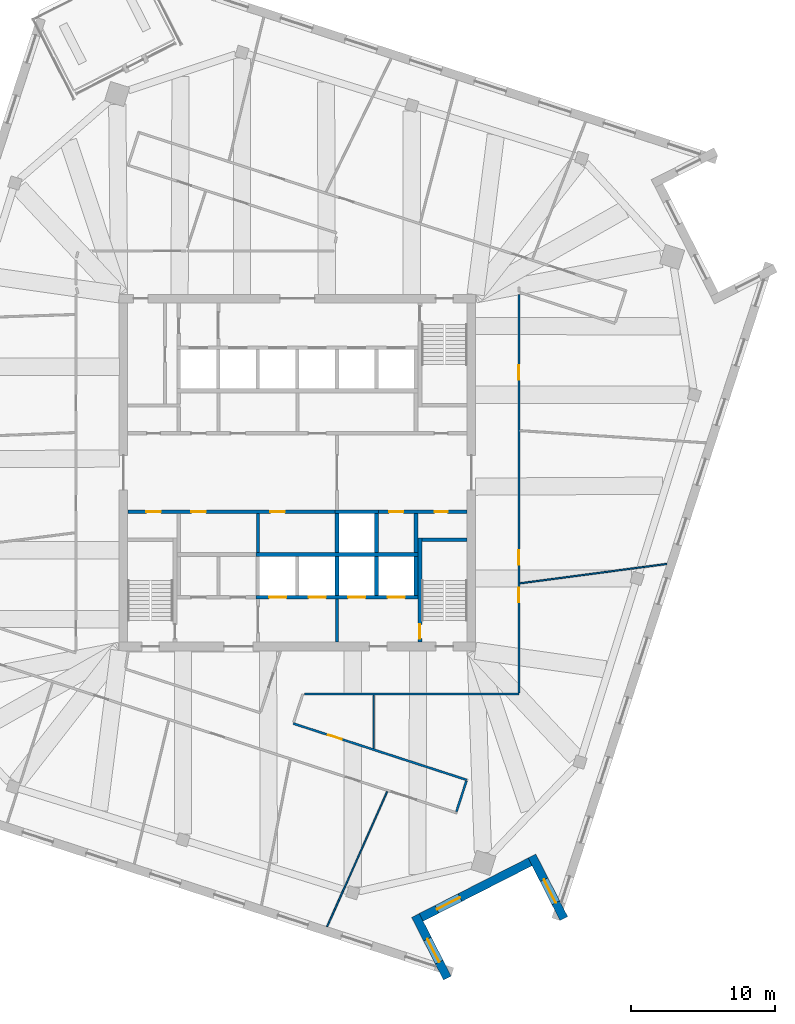
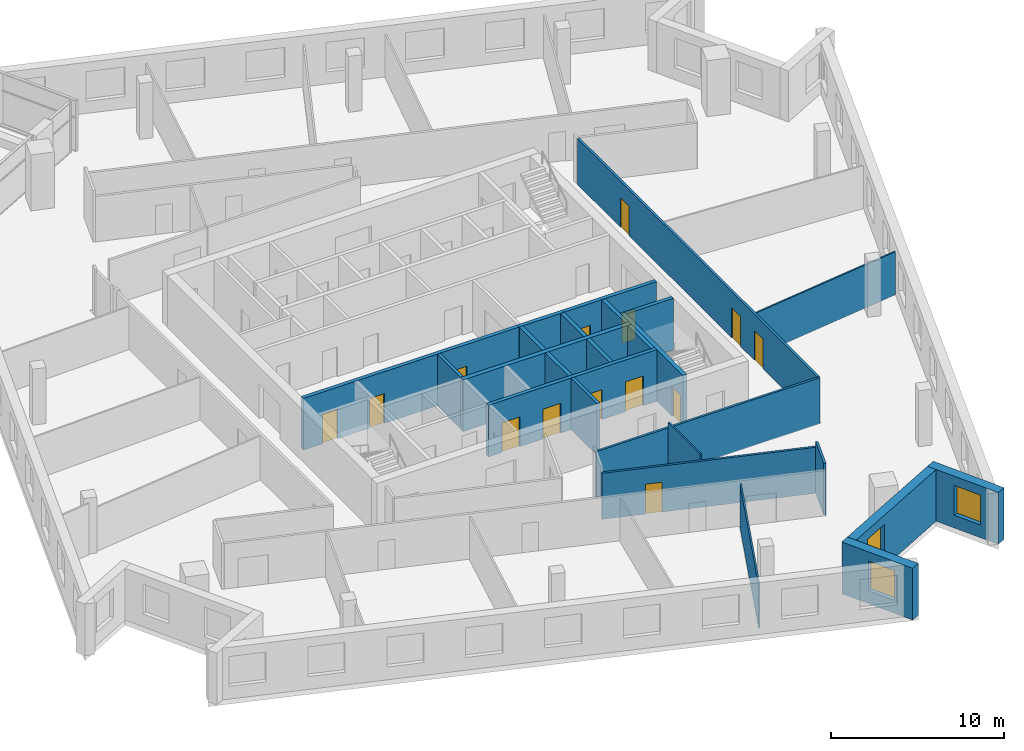
# One storey, part 7 of 13: 25 walls, 14 doors, 3 windows, 17 openings.
"""IFC4 building model written with IfcOpenShell, lengths in metres."""

from ifc_helpers import new_model, si_unit, direction, frame, frame_2d, origin, place, context, subcontext, project, spatial, rectangle, extrude, material, layer, layer_set, type_object, element, fill, save


model = new_model("IFC4")

# Units and contexts
model_context = context("Model", 3, precision=1e-05, world=origin(), true_north=direction((0.0, 1.0)))
body_context = subcontext(model_context, "Body", "Model", "MODEL_VIEW")
ifc_project = project(units=[si_unit("LENGTHUNIT", "METRE"), si_unit("AREAUNIT", "SQUARE_METRE"), si_unit("VOLUMEUNIT", "CUBIC_METRE"), si_unit("PLANEANGLEUNIT", "RADIAN"), si_unit("MASSUNIT", "GRAM", prefix="KILO")], contexts=[model_context])

# Site, building, storey
site_placement = place(None, origin())
site = spatial("IfcSite", under=ifc_project, at=site_placement, CompositionType="ELEMENT")
building_placement = place(site_placement, origin())
building = spatial("IfcBuilding", under=site, at=building_placement, Name="Dilmun Exchange Tower", CompositionType="ELEMENT")
storey_placement = place(building_placement, frame((0.0, 0.0, 316.5)))
storey = spatial("IfcBuildingStorey", under=building, at=storey_placement, Name="L75", CompositionType="ELEMENT", Elevation=316.5)

# Walls
ifc_material_1 = material(Name="Concrete C40/50", Category="concrete")
ifc_layer_1 = layer(ifc_material_1, 0.199951171875)
ifc_layer_set_1 = layer_set([ifc_layer_1], Name="Concrete C40/50")
wall_type_1 = type_object("IfcWallType", Name="Core partition wall 200", PredefinedType="PARTITIONING", material=ifc_layer_set_1)
wall_1_placement = place(storey_placement, frame((2.75, -11.794921875, 0.0), z_axis=(0.0, 0.0, 1.0), x_axis=(0.0, 1.0, 0.0)))
element("IfcWall", 1, at=wall_1_placement, inside=storey, type_object=wall_type_1, Name="L75 core partition wall 02", PredefinedType="PARTITIONING", context=body_context, shape_type="SweptSolid", body=[
    extrude(rectangle(XDim=2.989990234375, YDim=0.199951171875, at=frame_2d((1.4951171875, 0.0))), origin(), (0.0, 0.0, 1.0), 3.64990234375),
])
wall_2_placement = place(storey_placement, frame((-2.75, -5.544921875, 0.0), z_axis=(0.0, 0.0, 1.0), x_axis=(0.0, 1.0, 0.0)))
element("IfcWall", 2, at=wall_2_placement, inside=storey, type_object=wall_type_1, Name="L75 core partition wall 08", PredefinedType="PARTITIONING", context=body_context, shape_type="SweptSolid", body=[
    extrude(rectangle(XDim=2.68994140625, YDim=0.199951171875, at=frame_2d((1.344970703125, 0.0))), origin(), (0.0, 0.0, 1.0), 3.64990234375),
])
ifc_layer_2 = layer(ifc_material_1, 0.25)
ifc_layer_set_2 = layer_set([ifc_layer_2], Name="Concrete C40/50")
wall_type_2 = type_object("IfcWallType", Name="Core partition wall 250", PredefinedType="PARTITIONING", material=ifc_layer_set_2)
wall_3_placement = place(storey_placement, frame((8.25, -5.544921875, 0.0), z_axis=(0.0, 0.0, 1.0), x_axis=(0.0, 1.0, 0.0)))
element("IfcWall", 3, at=wall_3_placement, inside=storey, type_object=wall_type_2, Name="L75 core partition wall 09", PredefinedType="PARTITIONING", context=body_context, shape_type="SweptSolid", body=[
    extrude(rectangle(XDim=2.68994140625, YDim=0.25, at=frame_2d((1.344970703125, 0.0))), origin(), (0.0, 0.0, 1.0), 3.64990234375),
])

# Wall, openings, doors
wall_4_placement = place(storey_placement, frame((-11.794921875, -2.72509765625, 0.0), z_axis=(0.0, 0.0, 1.0), x_axis=(1.0, 0.0, 0.0)))
wall_4 = element("IfcWall", 4, at=wall_4_placement, inside=storey, type_object=wall_type_2, Name="L75 core partition wall 10", PredefinedType="PARTITIONING", context=body_context, shape_type="SweptSolid", body=[
    extrude(rectangle(XDim=14.4150390625, YDim=0.25, at=frame_2d((7.20751953125, 0.0))), origin(), (0.0, 0.0, 1.0), 3.64990234375),
])
opening_1_placement = place(wall_4_placement, frame((1.294921875, 0.0, 0.0)))
opening_1 = element("IfcOpeningElement", 5, at=opening_1_placement, cuts=wall_4, Name="Opening CD4", PredefinedType="OPENING", context=body_context, shape_type="SweptSolid", body=[
    extrude(rectangle(XDim=1.0, YDim=2.10009765625, at=frame_2d((0.5, 1.050048828125))), frame((0.0, 0.135009765625, 0.0), z_axis=(0.0, -1.0, 0.0), x_axis=(1.0, 0.0, 0.0)), (0.0, 0.0, 1.0), 0.27001953125),
])
opening_2_placement = place(wall_4_placement, frame((4.419921875, 0.0, 0.0)))
opening_2 = element("IfcOpeningElement", 6, at=opening_2_placement, cuts=wall_4, Name="Opening CD4", PredefinedType="OPENING", context=body_context, shape_type="SweptSolid", body=[
    extrude(rectangle(XDim=1.0, YDim=2.10009765625, at=frame_2d((0.5, 1.050048828125))), frame((0.0, 0.135009765625, 0.0), z_axis=(0.0, -1.0, 0.0), x_axis=(1.0, 0.0, 0.0)), (0.0, 0.0, 1.0), 0.27001953125),
])
opening_3_placement = place(wall_4_placement, frame((9.919921875, 0.0, 0.0)))
opening_3 = element("IfcOpeningElement", 7, at=opening_3_placement, cuts=wall_4, Name="Opening CD4", PredefinedType="OPENING", context=body_context, shape_type="SweptSolid", body=[
    extrude(rectangle(XDim=1.0, YDim=2.10009765625, at=frame_2d((0.5, 1.050048828125))), frame((0.0, 0.135009765625, 0.0), z_axis=(0.0, -1.0, 0.0), x_axis=(1.0, 0.0, 0.0)), (0.0, 0.0, 1.0), 0.27001953125),
])
ifc_material_2 = material(Name="Fire-rated steel door set", Category="steel")
door_type_1 = type_object("IfcDoorType", Name="Core room door 1000x2100", OperationType="SINGLE_SWING_LEFT", PredefinedType="DOOR", material=ifc_material_2)
door_1_placement = place(opening_1_placement, origin())
door_1 = element("IfcDoor", 8, at=door_1_placement, inside=storey, type_object=door_type_1, Name="L75 door Accessible WC", OperationType="SINGLE_SWING_RIGHT", OverallHeight=2.10009765625, OverallWidth=1.0, PredefinedType="DOOR", context=body_context, shape_type="SweptSolid", body=[
    extrude(rectangle(XDim=1.0, YDim=2.10009765625, at=frame_2d((0.5, 1.050048828125))), frame((0.0, 0.02490234375, 0.0), z_axis=(0.0, -1.0, 0.0), x_axis=(1.0, 0.0, 0.0)), (0.0, 0.0, 1.0), 0.050048828125),
])
fill(opening_1, door_1)
door_2_placement = place(opening_2_placement, origin())
door_2 = element("IfcDoor", 9, at=door_2_placement, inside=storey, type_object=door_type_1, Name="L75 door Switch room", OperationType="SINGLE_SWING_RIGHT", OverallHeight=2.10009765625, OverallWidth=1.0, PredefinedType="DOOR", context=body_context, shape_type="SweptSolid", body=[
    extrude(rectangle(XDim=1.0, YDim=2.10009765625, at=frame_2d((0.5, 1.050048828125))), frame((0.0, 0.02490234375, 0.0), z_axis=(0.0, -1.0, 0.0), x_axis=(1.0, 0.0, 0.0)), (0.0, 0.0, 1.0), 0.050048828125),
])
fill(opening_2, door_2)
door_3_placement = place(opening_3_placement, origin())
door_3 = element("IfcDoor", 10, at=door_3_placement, inside=storey, type_object=door_type_1, Name="L75 door Print and mail room", OperationType="SINGLE_SWING_RIGHT", OverallHeight=2.10009765625, OverallWidth=1.0, PredefinedType="DOOR", context=body_context, shape_type="SweptSolid", body=[
    extrude(rectangle(XDim=1.0, YDim=2.10009765625, at=frame_2d((0.5, 1.050048828125))), frame((0.0, 0.02490234375, 0.0), z_axis=(0.0, -1.0, 0.0), x_axis=(1.0, 0.0, 0.0)), (0.0, 0.0, 1.0), 0.050048828125),
])
fill(opening_3, door_3)

wall_5_placement = place(storey_placement, frame((5.6298828125, -2.72509765625, 0.0), z_axis=(0.0, 0.0, 1.0), x_axis=(1.0, 0.0, 0.0)))
wall_5 = element("IfcWall", 11, at=wall_5_placement, inside=storey, type_object=wall_type_2, Name="L75 core partition wall 11", PredefinedType="PARTITIONING", context=body_context, shape_type="SweptSolid", body=[
    extrude(rectangle(XDim=6.1650390625, YDim=0.25, at=frame_2d((3.08251953125, 0.0))), origin(), (0.0, 0.0, 1.0), 3.64990234375),
])
opening_4_placement = place(wall_5_placement, frame((0.7451171875, 0.0, 0.0)))
opening_4 = element("IfcOpeningElement", 12, at=opening_4_placement, cuts=wall_5, Name="Opening CD4", PredefinedType="OPENING", context=body_context, shape_type="SweptSolid", body=[
    extrude(rectangle(XDim=1.0, YDim=2.10009765625, at=frame_2d((0.5, 1.050048828125))), frame((0.0, 0.135009765625, 0.0), z_axis=(0.0, -1.0, 0.0), x_axis=(1.0, 0.0, 0.0)), (0.0, 0.0, 1.0), 0.27001953125),
])
opening_5_placement = place(wall_5_placement, frame((3.919921875, 0.0, 0.0)))
opening_5 = element("IfcOpeningElement", 13, at=opening_5_placement, cuts=wall_5, Name="Opening CD6", PredefinedType="OPENING", context=body_context, shape_type="SweptSolid", body=[
    extrude(rectangle(XDim=0.89990234375, YDim=2.10009765625, at=frame_2d((0.449951171875, 1.050048828125))), frame((0.0, 0.135009765625, 0.0), z_axis=(0.0, -1.0, 0.0), x_axis=(1.0, 0.0, 0.0)), (0.0, 0.0, 1.0), 0.27001953125),
])
door_4_placement = place(opening_4_placement, origin())
door_4 = element("IfcDoor", 14, at=door_4_placement, inside=storey, type_object=door_type_1, Name="L75 door Cleaners' store", OperationType="SINGLE_SWING_RIGHT", OverallHeight=2.10009765625, OverallWidth=1.0, PredefinedType="DOOR", context=body_context, shape_type="SweptSolid", body=[
    extrude(rectangle(XDim=1.0, YDim=2.10009765625, at=frame_2d((0.5, 1.050048828125))), frame((0.0, 0.02490234375, 0.0), z_axis=(0.0, -1.0, 0.0), x_axis=(1.0, 0.0, 0.0)), (0.0, 0.0, 1.0), 0.050048828125),
])
fill(opening_4, door_4)
door_type_2 = type_object("IfcDoorType", Name="Core room door 900x2100", OperationType="SINGLE_SWING_LEFT", PredefinedType="DOOR", material=ifc_material_2)
door_5_placement = place(opening_5_placement, origin())
door_5 = element("IfcDoor", 15, at=door_5_placement, inside=storey, type_object=door_type_2, Name="L75 door Comms riser", OperationType="SINGLE_SWING_RIGHT", OverallHeight=2.10009765625, OverallWidth=0.89990234375, PredefinedType="DOOR", context=body_context, shape_type="SweptSolid", body=[
    extrude(rectangle(XDim=0.89990234375, YDim=2.10009765625, at=frame_2d((0.449951171875, 1.050048828125))), frame((0.0, 0.02490234375, 0.0), z_axis=(0.0, -1.0, 0.0), x_axis=(1.0, 0.0, 0.0)), (0.0, 0.0, 1.0), 0.050048828125),
])
fill(opening_5, door_5)

# Wall, opening, door
ifc_material_3 = material(Name="Corridor wall 150")
ifc_layer_3 = layer(ifc_material_3, 0.14990234375)
ifc_layer_set_3 = layer_set([ifc_layer_3], Name="Corridor wall 150")
wall_type_3 = type_object("IfcWallType", Name="Corridor wall 150", PredefinedType="PARTITIONING", material=ifc_layer_set_3)
wall_6_placement = place(storey_placement, frame((-0.291015625, -17.4541015625, 0.0), z_axis=(0.0, 0.0, 1.0), x_axis=(0.951062767237, -0.308997755292, 0.0)))
wall_6 = element("IfcWall", 16, at=wall_6_placement, inside=storey, type_object=wall_type_3, Name="Corridor wall", PredefinedType="PARTITIONING", context=body_context, shape_type="SweptSolid", body=[
    extrude(rectangle(XDim=12.68896484375, YDim=0.14990234375, at=frame_2d((6.344482421875, 0.0))), origin(), (0.0, 0.0, 1.0), 3.25),
])
opening_6_placement = place(wall_6_placement, frame((2.550048828125, 0.0, 0.0)))
opening_6 = element("IfcOpeningElement", 17, at=opening_6_placement, cuts=wall_6, Name="Opening TF75-D13", PredefinedType="OPENING", context=body_context, shape_type="SweptSolid", body=[
    extrude(rectangle(XDim=1.0, YDim=2.10009765625, at=frame_2d((0.5, 1.050048828125))), frame((0.0, 0.0849609375, 0.0), z_axis=(0.0, -1.0, 0.0), x_axis=(1.0, 0.0, 0.0)), (0.0, 0.0, 1.0), 0.169921875),
])
ifc_material_4 = material(Name="Fire door 1000 x 2100")
door_type_3 = type_object("IfcDoorType", Name="Fire door 1000 x 2100", OperationType="NOTDEFINED", PredefinedType="DOOR", material=ifc_material_4)
door_6_placement = place(opening_6_placement, origin())
door_6 = element("IfcDoor", 18, at=door_6_placement, inside=storey, type_object=door_type_3, Name="Door TF75-D13", OperationType="SINGLE_SWING_RIGHT", OverallHeight=2.10009765625, OverallWidth=1.0, PredefinedType="DOOR", context=body_context, shape_type="SweptSolid", body=[
    extrude(rectangle(XDim=1.0, YDim=2.10009765625, at=frame_2d((0.5, 1.050048828125))), frame((0.0, 0.02490234375, 0.0), z_axis=(0.0, -1.0, 0.0), x_axis=(1.0, 0.0, 0.0)), (0.0, 0.0, 1.0), 0.050048828125),
])
fill(opening_6, door_6)

# Walls
wall_7_placement = place(storey_placement, frame((0.479248046875, -15.39990234375, 0.0), z_axis=(0.0, 0.0, 1.0), x_axis=(1.0, 0.0, 0.0)))
element("IfcWall", 19, at=wall_7_placement, inside=storey, type_object=wall_type_3, Name="Corridor wall", PredefinedType="PARTITIONING", context=body_context, shape_type="SweptSolid", body=[
    extrude(rectangle(XDim=14.920654296875, YDim=0.14990234375, at=frame_2d((7.46044921875, 0.0))), origin(), (0.0, 0.0, 1.0), 3.25),
])
wall_8_placement = place(storey_placement, frame((11.05810546875, -23.586669921875, 0.0), z_axis=(0.0, 0.0, 1.0), x_axis=(0.309157203415, 0.95101094819, 0.0)))
element("IfcWall", 20, at=wall_8_placement, inside=storey, type_object=wall_type_3, Name="Corridor wall", PredefinedType="PARTITIONING", context=body_context, shape_type="SweptSolid", body=[
    extrude(rectangle(XDim=2.250732421875, YDim=0.14990234375, at=frame_2d((1.12548828125, 0.0))), origin(), (0.0, 0.0, 1.0), 3.64990234375),
])

# Wall, openings, doors
wall_9_placement = place(storey_placement, frame((15.39990234375, -15.324951171875, 0.0), z_axis=(0.0, 0.0, 1.0), x_axis=(0.0, 1.0, 0.0)))
wall_9 = element("IfcWall", 21, at=wall_9_placement, inside=storey, type_object=wall_type_3, Name="Corridor wall", PredefinedType="PARTITIONING", context=body_context, shape_type="SweptSolid", body=[
    extrude(rectangle(XDim=27.723876953125, YDim=0.14990234375, at=frame_2d((13.86181640625, 0.0))), origin(), (0.0, 0.0, 1.0), 3.25),
])
opening_7_placement = place(wall_9_placement, frame((6.300048828125, 0.0, 0.0)))
opening_7 = element("IfcOpeningElement", 22, at=opening_7_placement, cuts=wall_9, Name="Opening TF75-D17", PredefinedType="OPENING", context=body_context, shape_type="SweptSolid", body=[
    extrude(rectangle(XDim=1.0, YDim=2.10009765625, at=frame_2d((0.5, 1.050048828125))), frame((0.0, 0.0849609375, 0.0), z_axis=(0.0, -1.0, 0.0), x_axis=(1.0, 0.0, 0.0)), (0.0, 0.0, 1.0), 0.169921875),
])
opening_8_placement = place(wall_9_placement, frame((8.910888671875, 0.0, 0.0)))
opening_8 = element("IfcOpeningElement", 23, at=opening_8_placement, cuts=wall_9, Name="Opening TF75-D18", PredefinedType="OPENING", context=body_context, shape_type="SweptSolid", body=[
    extrude(rectangle(XDim=1.0, YDim=2.10009765625, at=frame_2d((0.5, 1.050048828125))), frame((0.0, 0.0849609375, 0.0), z_axis=(0.0, -1.0, 0.0), x_axis=(1.0, 0.0, 0.0)), (0.0, 0.0, 1.0), 0.169921875),
])
opening_9_placement = place(wall_9_placement, frame((21.79345703125, 0.0, 0.0)))
opening_9 = element("IfcOpeningElement", 24, at=opening_9_placement, cuts=wall_9, Name="Opening TF75-D20", PredefinedType="OPENING", context=body_context, shape_type="SweptSolid", body=[
    extrude(rectangle(XDim=1.0, YDim=2.10009765625, at=frame_2d((0.5, 1.050048828125))), frame((0.0, 0.0849609375, 0.0), z_axis=(0.0, -1.0, 0.0), x_axis=(1.0, 0.0, 0.0)), (0.0, 0.0, 1.0), 0.169921875),
])
door_7_placement = place(opening_7_placement, frame((1.0, 0.0, 0.0), z_axis=(0.0, 0.0, 1.0), x_axis=(-1.0, 0.0, 0.0)))
door_7 = element("IfcDoor", 25, at=door_7_placement, inside=storey, type_object=door_type_3, Name="Door TF75-D17", OperationType="SINGLE_SWING_RIGHT", OverallHeight=2.10009765625, OverallWidth=1.0, PredefinedType="DOOR", context=body_context, shape_type="SweptSolid", body=[
    extrude(rectangle(XDim=1.0, YDim=2.10009765625, at=frame_2d((0.5, 1.050048828125))), frame((0.0, 0.02490234375, 0.0), z_axis=(0.0, -1.0, 0.0), x_axis=(1.0, 0.0, 0.0)), (0.0, 0.0, 1.0), 0.050048828125),
])
fill(opening_7, door_7)
door_8_placement = place(opening_8_placement, frame((1.0, 0.0, 0.0), z_axis=(0.0, 0.0, 1.0), x_axis=(-1.0, 0.0, 0.0)))
door_8 = element("IfcDoor", 26, at=door_8_placement, inside=storey, type_object=door_type_3, Name="Door TF75-D18", OperationType="SINGLE_SWING_LEFT", OverallHeight=2.10009765625, OverallWidth=1.0, PredefinedType="DOOR", context=body_context, shape_type="SweptSolid", body=[
    extrude(rectangle(XDim=1.0, YDim=2.10009765625, at=frame_2d((0.5, 1.050048828125))), frame((0.0, 0.02490234375, 0.0), z_axis=(0.0, -1.0, 0.0), x_axis=(1.0, 0.0, 0.0)), (0.0, 0.0, 1.0), 0.050048828125),
])
fill(opening_8, door_8)
door_9_placement = place(opening_9_placement, frame((1.0, 0.0, 0.0), z_axis=(0.0, 0.0, 1.0), x_axis=(-1.0, 0.0, 0.0)))
door_9 = element("IfcDoor", 27, at=door_9_placement, inside=storey, type_object=door_type_3, Name="Door TF75-D20", OperationType="SINGLE_SWING_RIGHT", OverallHeight=2.10009765625, OverallWidth=1.0, PredefinedType="DOOR", context=body_context, shape_type="SweptSolid", body=[
    extrude(rectangle(XDim=1.0, YDim=2.10009765625, at=frame_2d((0.5, 1.050048828125))), frame((0.0, 0.02490234375, 0.0), z_axis=(0.0, -1.0, 0.0), x_axis=(1.0, 0.0, 0.0)), (0.0, 0.0, 1.0), 0.050048828125),
])
fill(opening_9, door_9)

# Walls
ifc_layer_4 = layer(ifc_material_1, 0.300048828125)
ifc_layer_set_4 = layer_set([ifc_layer_4], Name="Concrete C40/50")
wall_type_4 = type_object("IfcWallType", Name="Lift shaft shared wall 300", PredefinedType="SOLIDWALL", material=ifc_layer_set_4)
wall_10_placement = place(storey_placement, frame((-2.875, -5.699951171875, 0.0), z_axis=(0.0, 0.0, 1.0), x_axis=(1.0, 0.0, 0.0)))
element("IfcWall", 28, at=wall_10_placement, inside=storey, type_object=wall_type_4, Name="L75 lift shaft rear wall S", PredefinedType="SOLIDWALL", context=body_context, shape_type="SweptSolid", body=[
    extrude(rectangle(XDim=11.25, YDim=0.300048828125, at=frame_2d((5.625, 0.0))), origin(), (0.0, 0.0, 1.0), 3.64990234375),
])
ifc_layer_5 = layer(ifc_material_1, 0.25)
ifc_layer_set_5 = layer_set([ifc_layer_5], Name="Concrete C40/50")
wall_type_5 = type_object("IfcWallType", Name="Lift shaft wall 250", PredefinedType="SOLIDWALL", material=ifc_layer_set_5)
wall_11_placement = place(storey_placement, frame((2.625, -2.72509765625, 0.0), z_axis=(0.0, 0.0, 1.0), x_axis=(1.0, 0.0, 0.0)))
element("IfcWall", 29, at=wall_11_placement, inside=storey, type_object=wall_type_5, Name="L75 lift shaft front wall S1", PredefinedType="SOLIDWALL", context=body_context, shape_type="SweptSolid", body=[
    extrude(rectangle(XDim=3.0, YDim=0.25, at=frame_2d((1.5, 0.0))), origin(), (0.0, 0.0, 1.0), 3.64990234375),
])
for number, where, z_axis, x_axis, name in (
    (30, (2.75, -5.550048828125, 0.0), (0.0, 0.0, 1.0), (0.0, 1.0, 0.0), "L75 lift shaft divider S14"),
    (31, (5.5, -5.550048828125, 0.0), (0.0, 0.0, 1.0), (0.0, 1.0, 0.0), "L75 lift shaft divider S15"),
):
    element("IfcWall", number, at=place(storey_placement, frame(where, z_axis=z_axis, x_axis=x_axis)), inside=storey, type_object=wall_type_5, Name=name, PredefinedType="SOLIDWALL", context=body_context, shape_type="SweptSolid", body=[
        extrude(rectangle(XDim=2.699951171875, YDim=0.25, at=frame_2d((1.35009765625, 0.0))), origin(), (0.0, 0.0, 1.0), 3.64990234375),
    ])

# Wall, openings, doors
wall_12_placement = place(storey_placement, frame((-2.875, -8.675048828125, 0.0), z_axis=(0.0, 0.0, 1.0), x_axis=(1.0, 0.0, 0.0)))
wall_12 = element("IfcWall", 32, at=wall_12_placement, inside=storey, type_object=wall_type_5, Name="L75 lift shaft front wall S2", PredefinedType="SOLIDWALL", context=body_context, shape_type="SweptSolid", body=[
    extrude(rectangle(XDim=11.25, YDim=0.25, at=frame_2d((5.625, 0.0))), origin(), (0.0, 0.0, 1.0), 3.64990234375),
])
opening_10_placement = place(wall_12_placement, frame((0.89990234375, 0.0, 0.0)))
opening_10 = element("IfcOpeningElement", 33, at=opening_10_placement, cuts=wall_12, Name="Opening LD", PredefinedType="OPENING", context=body_context, shape_type="SweptSolid", body=[
    extrude(rectangle(XDim=1.199951171875, YDim=2.10009765625, at=frame_2d((0.60009765625, 1.050048828125))), frame((0.0, 0.135009765625, 0.0), z_axis=(0.0, -1.0, 0.0), x_axis=(1.0, 0.0, 0.0)), (0.0, 0.0, 1.0), 0.27001953125),
])
opening_11_placement = place(wall_12_placement, frame((3.64990234375, 0.0, 0.0)))
opening_11 = element("IfcOpeningElement", 34, at=opening_11_placement, cuts=wall_12, Name="Opening LD", PredefinedType="OPENING", context=body_context, shape_type="SweptSolid", body=[
    extrude(rectangle(XDim=1.199951171875, YDim=2.10009765625, at=frame_2d((0.60009765625, 1.050048828125))), frame((0.0, 0.135009765625, 0.0), z_axis=(0.0, -1.0, 0.0), x_axis=(1.0, 0.0, 0.0)), (0.0, 0.0, 1.0), 0.27001953125),
])
opening_12_placement = place(wall_12_placement, frame((6.39990234375, 0.0, 0.0)))
opening_12 = element("IfcOpeningElement", 35, at=opening_12_placement, cuts=wall_12, Name="Opening LD", PredefinedType="OPENING", context=body_context, shape_type="SweptSolid", body=[
    extrude(rectangle(XDim=1.199951171875, YDim=2.10009765625, at=frame_2d((0.60009765625, 1.050048828125))), frame((0.0, 0.135009765625, 0.0), z_axis=(0.0, -1.0, 0.0), x_axis=(1.0, 0.0, 0.0)), (0.0, 0.0, 1.0), 0.27001953125),
])
opening_13_placement = place(wall_12_placement, frame((9.14990234375, 0.0, 0.0)))
opening_13 = element("IfcOpeningElement", 36, at=opening_13_placement, cuts=wall_12, Name="Opening LD", PredefinedType="OPENING", context=body_context, shape_type="SweptSolid", body=[
    extrude(rectangle(XDim=1.199951171875, YDim=2.10009765625, at=frame_2d((0.60009765625, 1.050048828125))), frame((0.0, 0.135009765625, 0.0), z_axis=(0.0, -1.0, 0.0), x_axis=(1.0, 0.0, 0.0)), (0.0, 0.0, 1.0), 0.27001953125),
])
door_type_4 = type_object("IfcDoorType", Name="Lift landing door 1200x2100", OperationType="DOUBLE_DOOR_SLIDING", PredefinedType="DOOR", material=ifc_material_2)
door_10_placement = place(opening_10_placement, origin())
door_10 = element("IfcDoor", 37, at=door_10_placement, inside=storey, type_object=door_type_4, Name="L75 landing door SV1", OperationType="DOUBLE_DOOR_SLIDING", OverallHeight=2.10009765625, OverallWidth=1.199951171875, PredefinedType="DOOR", context=body_context, shape_type="SweptSolid", body=[
    extrude(rectangle(XDim=1.199951171875, YDim=2.10009765625, at=frame_2d((0.60009765625, 1.050048828125))), frame((0.0, 0.02490234375, 0.0), z_axis=(0.0, -1.0, 0.0), x_axis=(1.0, 0.0, 0.0)), (0.0, 0.0, 1.0), 0.050048828125),
])
fill(opening_10, door_10)
door_11_placement = place(opening_11_placement, origin())
door_11 = element("IfcDoor", 38, at=door_11_placement, inside=storey, type_object=door_type_4, Name="L75 landing door SV2", OperationType="DOUBLE_DOOR_SLIDING", OverallHeight=2.10009765625, OverallWidth=1.199951171875, PredefinedType="DOOR", context=body_context, shape_type="SweptSolid", body=[
    extrude(rectangle(XDim=1.199951171875, YDim=2.10009765625, at=frame_2d((0.60009765625, 1.050048828125))), frame((0.0, 0.02490234375, 0.0), z_axis=(0.0, -1.0, 0.0), x_axis=(1.0, 0.0, 0.0)), (0.0, 0.0, 1.0), 0.050048828125),
])
fill(opening_11, door_11)
door_12_placement = place(opening_12_placement, origin())
door_12 = element("IfcDoor", 39, at=door_12_placement, inside=storey, type_object=door_type_4, Name="L75 landing door FF1", OperationType="DOUBLE_DOOR_SLIDING", OverallHeight=2.10009765625, OverallWidth=1.199951171875, PredefinedType="DOOR", context=body_context, shape_type="SweptSolid", body=[
    extrude(rectangle(XDim=1.199951171875, YDim=2.10009765625, at=frame_2d((0.60009765625, 1.050048828125))), frame((0.0, 0.02490234375, 0.0), z_axis=(0.0, -1.0, 0.0), x_axis=(1.0, 0.0, 0.0)), (0.0, 0.0, 1.0), 0.050048828125),
])
fill(opening_12, door_12)
door_13_placement = place(opening_13_placement, origin())
door_13 = element("IfcDoor", 40, at=door_13_placement, inside=storey, type_object=door_type_4, Name="L75 landing door FF2", OperationType="DOUBLE_DOOR_SLIDING", OverallHeight=2.10009765625, OverallWidth=1.199951171875, PredefinedType="DOOR", context=body_context, shape_type="SweptSolid", body=[
    extrude(rectangle(XDim=1.199951171875, YDim=2.10009765625, at=frame_2d((0.60009765625, 1.050048828125))), frame((0.0, 0.02490234375, 0.0), z_axis=(0.0, -1.0, 0.0), x_axis=(1.0, 0.0, 0.0)), (0.0, 0.0, 1.0), 0.050048828125),
])
fill(opening_13, door_13)

# Walls
for number, where, z_axis, x_axis, name in (
    (41, (2.75, -8.550048828125, 0.0), (0.0, 0.0, 1.0), (0.0, 1.0, 0.0), "L75 lift shaft divider S24"),
    (42, (5.5, -8.550048828125, 0.0), (0.0, 0.0, 1.0), (0.0, 1.0, 0.0), "L75 lift shaft divider S25"),
    (43, (8.25, -8.550048828125, 0.0), (0.0, 0.0, 1.0), (0.0, 1.0, 0.0), "L75 lift shaft divider S26"),
):
    element("IfcWall", number, at=place(storey_placement, frame(where, z_axis=z_axis, x_axis=x_axis)), inside=storey, type_object=wall_type_5, Name=name, PredefinedType="SOLIDWALL", context=body_context, shape_type="SweptSolid", body=[
        extrude(rectangle(XDim=2.699951171875, YDim=0.25, at=frame_2d((1.35009765625, 0.0))), origin(), (0.0, 0.0, 1.0), 3.64990234375),
    ])
ifc_material_5 = material(Name="Partition 100")
ifc_layer_6 = layer(ifc_material_5, 0.10009765625)
ifc_layer_set_6 = layer_set([ifc_layer_6], Name="Partition 100")
wall_type_6 = type_object("IfcWallType", Name="Partition 100", PredefinedType="PARTITIONING", material=ifc_layer_set_6)
wall_13_placement = place(storey_placement, frame((2.06494140625, -31.581787109375, 0.0), z_axis=(0.0, 0.0, 1.0), x_axis=(0.406398376822, 0.913695988454, 0.0)))
element("IfcWall", 44, at=wall_13_placement, inside=storey, type_object=wall_type_6, Name="Partition", PredefinedType="PARTITIONING", context=body_context, shape_type="SweptSolid", body=[
    extrude(rectangle(XDim=10.283447265625, YDim=0.10009765625, at=frame_2d((5.1416015625, 0.0))), origin(), (0.0, 0.0, 1.0), 3.050048828125),
])
wall_14_placement = place(storey_placement, frame((5.31005859375, -19.178955078125, 0.0), z_axis=(0.0, 0.0, 1.0), x_axis=(0.0, 1.0, 0.0)))
element("IfcWall", 45, at=wall_14_placement, inside=storey, type_object=wall_type_6, Name="Partition", PredefinedType="PARTITIONING", context=body_context, shape_type="SweptSolid", body=[
    extrude(rectangle(XDim=3.703857421875, YDim=0.10009765625, at=frame_2d((1.85205078125, 0.0))), origin(), (0.0, 0.0, 1.0), 3.64990234375),
])
wall_15_placement = place(storey_placement, frame((15.4814453125, -7.703125, 0.0), z_axis=(0.0, 0.0, 1.0), x_axis=(0.991397882504, 0.130882537286, 0.0)))
element("IfcWall", 46, at=wall_15_placement, inside=storey, type_object=wall_type_6, Name="Partition", PredefinedType="PARTITIONING", context=body_context, shape_type="SweptSolid", body=[
    extrude(rectangle(XDim=10.298583984375, YDim=0.10009765625, at=frame_2d((5.1494140625, 0.0))), origin(), (0.0, 0.0, 1.0), 3.050048828125),
])

# Wall, opening, window
ifc_material_6 = material(Name="Precast concrete C50/60", Category="concrete")
ifc_layer_7 = layer(ifc_material_6, 0.60009765625)
ifc_layer_set_7 = layer_set([ifc_layer_7], Name="Precast concrete C50/60")
wall_type_7 = type_object("IfcWallType", Name="Precast stone-clad wall 600", PredefinedType="STANDARD", material=ifc_layer_set_7)
wall_16_placement = place(storey_placement, frame((10.424560546875, -35.154052734375, 0.0), z_axis=(0.0, 0.0, 1.0), x_axis=(-0.453996896346, 0.891003264926, 0.0)))
wall_16 = element("IfcWall", 47, at=wall_16_placement, inside=storey, type_object=wall_type_7, Name="Facade wall L75-08", PredefinedType="STANDARD", context=body_context, shape_type="SweptSolid", body=[
    extrude(rectangle(XDim=4.885498046875, YDim=0.60009765625, at=frame_2d((2.44287109375, 0.0))), origin(), (0.0, 0.0, 1.0), 3.64990234375),
])
opening_14_placement = place(wall_16_placement, frame((1.242919921875, 0.0, 0.89990234375)))
opening_14 = element("IfcOpeningElement", 48, at=opening_14_placement, cuts=wall_16, Name="Opening W180-210", PredefinedType="OPENING", context=body_context, shape_type="SweptSolid", body=[
    extrude(rectangle(XDim=1.800048828125, YDim=2.10009765625, at=frame_2d((0.89990234375, 1.050048828125))), frame((0.0, 0.31005859375, 0.0), z_axis=(0.0, -1.0, 0.0), x_axis=(1.0, 0.0, 0.0)), (0.0, 0.0, 1.0), 0.6201171875),
])
ifc_material_7 = material(Name="Clear low-emissivity glass in aluminium frame", Category="aluminium")
window_type = type_object("IfcWindowType", Name="Punched window 1800 x 2100", PartitioningType="DOUBLE_PANEL_VERTICAL", PredefinedType="WINDOW", material=ifc_material_7)
window_1_placement = place(opening_14_placement, origin())
window_1 = element("IfcWindow", 49, at=window_1_placement, inside=storey, type_object=window_type, Name="Window 9.1", OverallHeight=2.10009765625, OverallWidth=1.800048828125, PartitioningType="SINGLE_PANEL", PredefinedType="WINDOW", context=body_context, shape_type="SweptSolid", body=[
    extrude(rectangle(XDim=1.800048828125, YDim=2.10009765625, at=frame_2d((0.89990234375, 1.050048828125))), frame((0.0, 0.030029296875, 0.0), z_axis=(0.0, -1.0, 0.0), x_axis=(1.0, 0.0, 0.0)), (0.0, 0.0, 1.0), 0.06005859375),
])
fill(opening_14, window_1)

wall_17_placement = place(storey_placement, frame((8.610107421875, -30.93212890625, 0.0), z_axis=(0.0, 0.0, 1.0), x_axis=(0.891006396021, 0.453990751282, 0.0)))
wall_17 = element("IfcWall", 50, at=wall_17_placement, inside=storey, type_object=wall_type_7, Name="Facade wall L75-09", PredefinedType="STANDARD", context=body_context, shape_type="SweptSolid", body=[
    extrude(rectangle(XDim=8.5, YDim=0.60009765625, at=frame_2d((4.25, 0.0))), origin(), (0.0, 0.0, 1.0), 3.64990234375),
])
opening_15_placement = place(wall_17_placement, frame((1.22509765625, 0.0, 0.89990234375)))
opening_15 = element("IfcOpeningElement", 51, at=opening_15_placement, cuts=wall_17, Name="Opening W180-210", PredefinedType="OPENING", context=body_context, shape_type="SweptSolid", body=[
    extrude(rectangle(XDim=1.800048828125, YDim=2.10009765625, at=frame_2d((0.89990234375, 1.050048828125))), frame((0.0, 0.31005859375, 0.0), z_axis=(0.0, -1.0, 0.0), x_axis=(1.0, 0.0, 0.0)), (0.0, 0.0, 1.0), 0.6201171875),
])
window_2_placement = place(opening_15_placement, origin())
window_2 = element("IfcWindow", 52, at=window_2_placement, inside=storey, type_object=window_type, Name="Window 10.1", OverallHeight=2.10009765625, OverallWidth=1.800048828125, PartitioningType="SINGLE_PANEL", PredefinedType="WINDOW", context=body_context, shape_type="SweptSolid", body=[
    extrude(rectangle(XDim=1.800048828125, YDim=2.10009765625, at=frame_2d((0.89990234375, 1.050048828125))), frame((0.0, 0.030029296875, 0.0), z_axis=(0.0, -1.0, 0.0), x_axis=(1.0, 0.0, 0.0)), (0.0, 0.0, 1.0), 0.06005859375),
])
fill(opening_15, window_2)

wall_18_placement = place(storey_placement, frame((16.314697265625, -26.669677734375, 0.0), z_axis=(0.0, 0.0, 1.0), x_axis=(0.453996896346, -0.891003264926, 0.0)))
wall_18 = element("IfcWall", 53, at=wall_18_placement, inside=storey, type_object=wall_type_7, Name="Facade wall L75-10", PredefinedType="STANDARD", context=body_context, shape_type="SweptSolid", body=[
    extrude(rectangle(XDim=4.885498046875, YDim=0.60009765625, at=frame_2d((2.44287109375, 0.0))), origin(), (0.0, 0.0, 1.0), 3.64990234375),
])
opening_16_placement = place(wall_18_placement, frame((1.8427734375, 0.0, 0.89990234375)))
opening_16 = element("IfcOpeningElement", 54, at=opening_16_placement, cuts=wall_18, Name="Opening W180-210", PredefinedType="OPENING", context=body_context, shape_type="SweptSolid", body=[
    extrude(rectangle(XDim=1.800048828125, YDim=2.10009765625, at=frame_2d((0.89990234375, 1.050048828125))), frame((0.0, 0.31005859375, 0.0), z_axis=(0.0, -1.0, 0.0), x_axis=(1.0, 0.0, 0.0)), (0.0, 0.0, 1.0), 0.6201171875),
])
window_3_placement = place(opening_16_placement, origin())
window_3 = element("IfcWindow", 55, at=window_3_placement, inside=storey, type_object=window_type, Name="Window 11.1", OverallHeight=2.10009765625, OverallWidth=1.800048828125, PartitioningType="SINGLE_PANEL", PredefinedType="WINDOW", context=body_context, shape_type="SweptSolid", body=[
    extrude(rectangle(XDim=1.800048828125, YDim=2.10009765625, at=frame_2d((0.89990234375, 1.050048828125))), frame((0.0, 0.030029296875, 0.0), z_axis=(0.0, -1.0, 0.0), x_axis=(1.0, 0.0, 0.0)), (0.0, 0.0, 1.0), 0.06005859375),
])
fill(opening_16, window_3)

# Wall
ifc_layer_8 = layer(ifc_material_1, 0.25)
ifc_layer_set_8 = layer_set([ifc_layer_8], Name="Concrete C40/50")
wall_type_8 = type_object("IfcWallType", Name="Stair end wall 250", PredefinedType="SOLIDWALL", material=ifc_layer_set_8)
wall_19_placement = place(storey_placement, frame((8.64990234375, -4.675048828125, 0.0), z_axis=(0.0, 0.0, 1.0), x_axis=(1.0, 0.0, 0.0)))
element("IfcWall", 56, at=wall_19_placement, inside=storey, type_object=wall_type_8, Name="L75 ST3 far wall", PredefinedType="SOLIDWALL", context=body_context, shape_type="SweptSolid", body=[
    extrude(rectangle(XDim=3.150146484375, YDim=0.25, at=frame_2d((1.5751953125, 0.0))), origin(), (0.0, 0.0, 1.0), 3.64990234375),
])

# Wall, opening, door
ifc_layer_9 = layer(ifc_material_1, 0.27490234375)
ifc_layer_set_9 = layer_set([ifc_layer_9], Name="Concrete C40/50")
wall_type_9 = type_object("IfcWallType", Name="Stair wall 275", PredefinedType="SOLIDWALL", material=ifc_layer_set_9)
wall_20_placement = place(storey_placement, frame((8.512451171875, -4.550048828125, 0.0), z_axis=(0.0, 0.0, 1.0), x_axis=(0.0, -1.0, 0.0)))
wall_20 = element("IfcWall", 57, at=wall_20_placement, inside=storey, type_object=wall_type_9, Name="L75 ST3 wall to lift block", PredefinedType="SOLIDWALL", context=body_context, shape_type="SweptSolid", body=[
    extrude(rectangle(XDim=7.25, YDim=0.27490234375, at=frame_2d((3.625, 0.0))), origin(), (0.0, 0.0, 1.0), 3.64990234375),
])
opening_17_placement = place(wall_20_placement, frame((6.0, 0.0, 0.0)))
opening_17 = element("IfcOpeningElement", 58, at=opening_17_placement, cuts=wall_20, Name="Opening CD4", PredefinedType="OPENING", context=body_context, shape_type="SweptSolid", body=[
    extrude(rectangle(XDim=1.0, YDim=2.10009765625, at=frame_2d((0.5, 1.050048828125))), frame((0.0, 0.1474609375, 0.0), z_axis=(0.0, -1.0, 0.0), x_axis=(1.0, 0.0, 0.0)), (0.0, 0.0, 1.0), 0.294921875),
])
door_14_placement = place(opening_17_placement, origin())
door_14 = element("IfcDoor", 59, at=door_14_placement, inside=storey, type_object=door_type_1, Name="L75 door ST3 from lobby", OperationType="SINGLE_SWING_LEFT", OverallHeight=2.10009765625, OverallWidth=1.0, PredefinedType="DOOR", context=body_context, shape_type="SweptSolid", body=[
    extrude(rectangle(XDim=1.0, YDim=2.10009765625, at=frame_2d((0.5, 1.050048828125))), frame((0.0, 0.02490234375, 0.0), z_axis=(0.0, -1.0, 0.0), x_axis=(1.0, 0.0, 0.0)), (0.0, 0.0, 1.0), 0.050048828125),
])
fill(opening_17, door_14)

save(model, "model.ifc")
